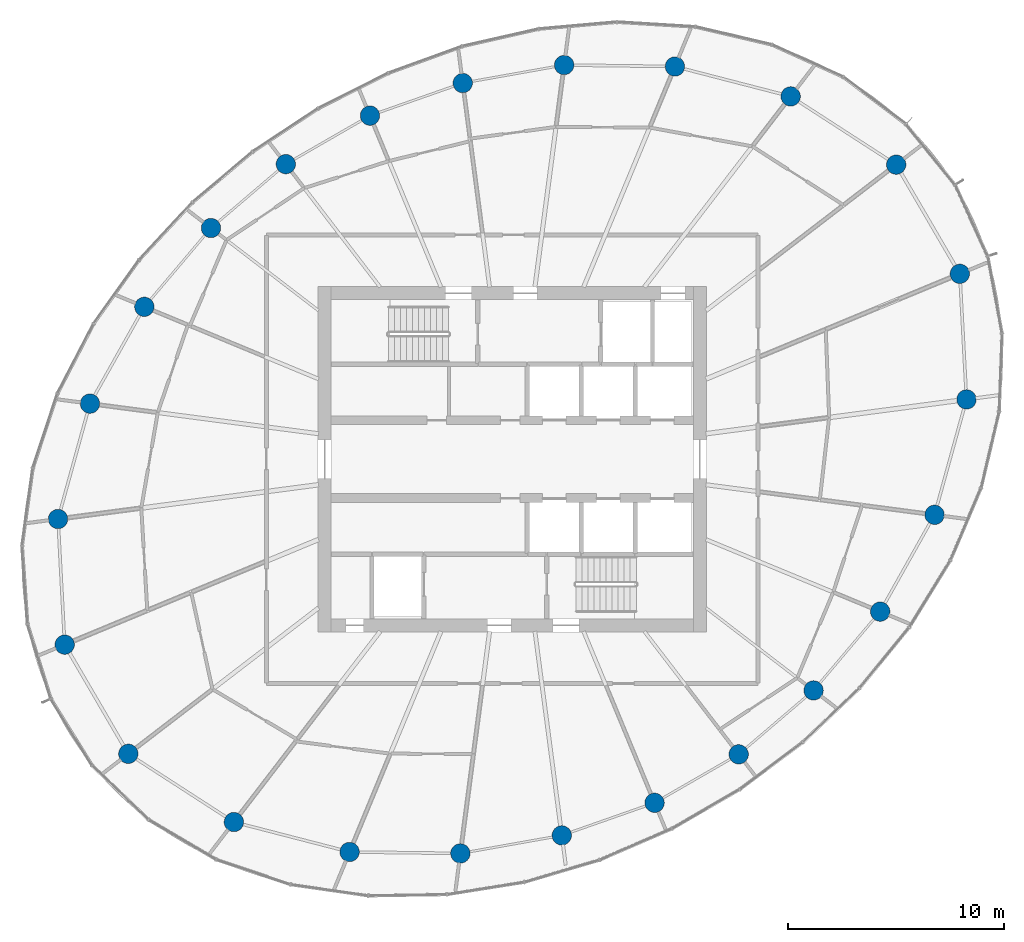
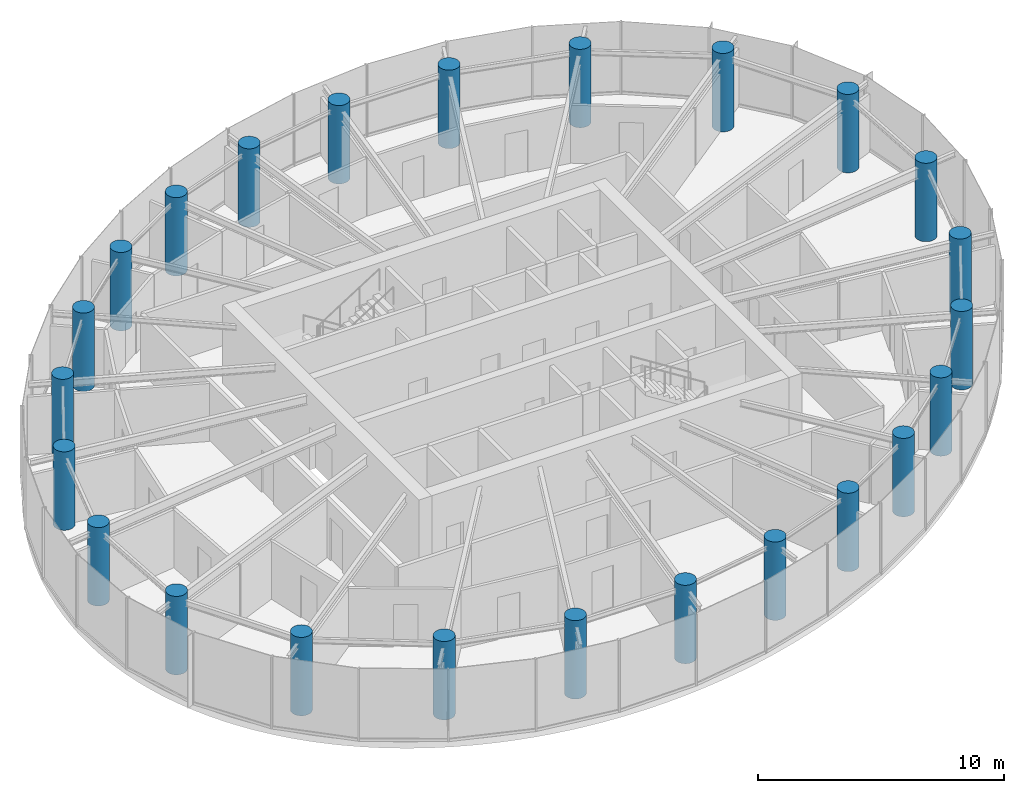
# One storey, part 1 of 15: 24 columns.
"""IFC4 building model written with IfcOpenShell, lengths in metres."""

import ifcopenshell
import ifcopenshell.guid

model = None  # the IFC model being written
_history = None  # IfcOwnerHistory: only IFC2X3 demands one
_inside = {}  # id of a spatial element -> (the spatial element, [elements in it])
_under = {}  # id of a project, library or spatial element -> (it, [spatial elements below it])
_declared = {}  # id of a project -> (the project, [libraries it declares])
_typed = {}  # id of a type object -> (the type object, [elements of that type])
_made_of = {}  # id of a material, layer set ... -> (it, [elements and type objects made of it])


def new_model(schema):
    """Start an empty IFC model of exactly this schema.

    Asked for "IFC4X3", IfcOpenShell would pick the latest addendum, in which some entities
    have other attributes; the version numbers below select the first issue.
    IFC2X3 requires an IfcOwnerHistory on every rooted entity: one is made here for all.
    """
    global model, _history
    if schema == "IFC4X3":
        model = ifcopenshell.file(schema_version=(4, 3, 0, 0))
    else:
        model = ifcopenshell.file(schema=schema)
    _inside.clear()
    _under.clear()
    _declared.clear()
    _typed.clear()
    _made_of.clear()
    _history = None
    if model.schema == "IFC2X3":
        org = make("IfcOrganization", Name="unknown")
        user = make(
            "IfcPersonAndOrganization",
            ThePerson=make("IfcPerson", FamilyName="unknown"),
            TheOrganization=org,
        )
        app = make(
            "IfcApplication",
            ApplicationDeveloper=org,
            Version="unknown",
            ApplicationFullName="unknown",
            ApplicationIdentifier="unknown",
        )
        _history = make(
            "IfcOwnerHistory",
            OwningUser=user,
            OwningApplication=app,
            ChangeAction="ADDED",
            CreationDate=0,
        )
    return model


def make(cls, **values):
    """One entity of the class cls with the attributes given. An attribute that is None is left unset."""
    return model.create_entity(
        cls, **{name: value for name, value in values.items() if value is not None}
    )


def rooted(cls, **values):
    """An entity with a GlobalId (a new one), such as an element, a storey or a relation."""
    return make(cls, GlobalId=ifcopenshell.guid.new(), OwnerHistory=_history, **values)


def si_unit(unit_type, name, prefix=None):
    """IfcSIUnit, for example si_unit("LENGTHUNIT", "METRE", prefix="MILLI")."""
    return make("IfcSIUnit", UnitType=unit_type, Prefix=prefix, Name=name)


def assignment(units):
    """IfcUnitAssignment: the units of a project."""
    return None if units is None else make("IfcUnitAssignment", Units=units)


def point(xyz):
    """IfcCartesianPoint."""
    return None if xyz is None else make("IfcCartesianPoint", Coordinates=xyz)


def direction(xyz):
    """IfcDirection."""
    return None if xyz is None else make("IfcDirection", DirectionRatios=xyz)


def frame(location, z_axis=None, x_axis=None):
    """IfcAxis2Placement3D, a coordinate frame: its origin and axes. An axis left out is left unset."""
    return make(
        "IfcAxis2Placement3D",
        Location=point(location),
        Axis=direction(z_axis),
        RefDirection=direction(x_axis),
    )


def frame_2d(location, x_axis=None):
    """IfcAxis2Placement2D, a coordinate frame in the plane: its origin and x axis."""
    return make(
        "IfcAxis2Placement2D", Location=point(location), RefDirection=direction(x_axis)
    )


def origin():
    """The frame at (0, 0, 0) with its axes left unset."""
    return frame((0.0, 0.0, 0.0))


def origin_2d():
    """The frame at (0, 0) in the plane with its x axis left unset."""
    return frame_2d((0.0, 0.0))


def place(relative_to, where):
    """IfcLocalPlacement: puts the frame where relative to a parent placement (None: the world)."""
    return make(
        "IfcLocalPlacement", PlacementRelTo=relative_to, RelativePlacement=where
    )


def context(
    kind, dimensions, precision=None, world=None, true_north=None, identifier=None
):
    """IfcGeometricRepresentationContext, for example the 3D "Model" context."""
    return make(
        "IfcGeometricRepresentationContext",
        ContextIdentifier=identifier,
        ContextType=kind,
        CoordinateSpaceDimension=dimensions,
        Precision=precision,
        WorldCoordinateSystem=world,
        TrueNorth=true_north,
    )


def subcontext(parent, identifier, kind, view, scale=None):
    """IfcGeometricRepresentationSubContext, for example "Body" below "Model"."""
    return make(
        "IfcGeometricRepresentationSubContext",
        ContextIdentifier=identifier,
        ContextType=kind,
        ParentContext=parent,
        TargetScale=scale,
        TargetView=view,
    )


def project(units=None, contexts=None):
    """IfcProject with its units and contexts."""
    return rooted(
        "IfcProject",
        Name="project",
        RepresentationContexts=contexts,
        UnitsInContext=assignment(units),
    )


def spatial(cls, under=None, at=None, **own):
    """A site, building, storey or space (cls), placed at a placement, below another one or the project."""
    s = rooted(cls, ObjectPlacement=at, **own)
    if under is not None:
        _under.setdefault(under.id(), (under, []))[1].append(s)
    return s


def profile(cls, at=None, kind="AREA", **sizes):
    """A parametric profile (cls). Its sizes go by their IFC names, for example OverallWidth=200.0."""
    return make(cls, ProfileType=kind, Position=at, **sizes)


def circle(**sizes):
    """IfcCircleProfileDef."""
    return profile("IfcCircleProfileDef", **sizes)


def extrude(swept, where, along, depth):
    """IfcExtrudedAreaSolid: the profile swept, set in the frame where, extruded along a direction by depth."""
    return make(
        "IfcExtrudedAreaSolid",
        SweptArea=swept,
        Position=where,
        ExtrudedDirection=direction(along),
        Depth=depth,
    )


def shape(context_of_items, identifier, shape_type, items):
    """IfcShapeRepresentation: the items that make up one representation, for example the "Body"."""
    return make(
        "IfcShapeRepresentation",
        ContextOfItems=context_of_items,
        RepresentationIdentifier=identifier,
        RepresentationType=shape_type,
        Items=items,
    )


def source(mapping_origin, context_of_items, identifier, shape_type, items):
    """IfcRepresentationMap: a shape defined once, which mapped items show again and again."""
    return make(
        "IfcRepresentationMap",
        MappingOrigin=mapping_origin,
        MappedRepresentation=shape(context_of_items, identifier, shape_type, items),
    )


def transform(
    local_origin,
    x_axis=None,
    y_axis=None,
    z_axis=None,
    scale=None,
    scale2=None,
    scale3=None,
    uniform=True,
):
    """IfcCartesianTransformationOperator3D, or its non-uniform kind. x_axis, y_axis, z_axis: its Axis1, 2, 3."""
    if uniform:
        return make(
            "IfcCartesianTransformationOperator3D",
            Axis1=direction(x_axis),
            Axis2=direction(y_axis),
            LocalOrigin=point(local_origin),
            Scale=scale,
            Axis3=direction(z_axis),
        )
    return make(
        "IfcCartesianTransformationOperator3DnonUniform",
        Axis1=direction(x_axis),
        Axis2=direction(y_axis),
        LocalOrigin=point(local_origin),
        Scale=scale,
        Axis3=direction(z_axis),
        Scale2=scale2,
        Scale3=scale3,
    )


def mapped(mapping_source, mapping_target):
    """IfcMappedItem: shows the shape of a source again, moved by a transform."""
    return make(
        "IfcMappedItem", MappingSource=mapping_source, MappingTarget=mapping_target
    )


def material(Name=None, Category=None):
    """IfcMaterial."""
    return make("IfcMaterial", Name=Name, Category=Category)


def material_profile(
    of_material, cross_section, Name=None, Category=None, Priority=None
):
    """IfcMaterialProfile: a cross section and its material."""
    return make(
        "IfcMaterialProfile",
        Name=Name,
        Material=of_material,
        Profile=cross_section,
        Priority=Priority,
        Category=Category,
    )


def profile_set(profiles, Name=None, composite=None):
    """IfcMaterialProfileSet."""
    return make(
        "IfcMaterialProfileSet",
        Name=Name,
        MaterialProfiles=profiles,
        CompositeProfile=composite,
    )


def made_of(thing, what):
    """Note that an element or type object is made of a material, layer set ...; save() writes the relation."""
    if what is not None:
        _made_of.setdefault(what.id(), (what, []))[1].append(thing)
    return thing


def type_object(cls, material=None, **own):
    """A type object (cls), such as IfcWallType, which elements share."""
    return made_of(rooted(cls, **own), material)


def element(
    cls,
    number,
    at=None,
    inside=None,
    cuts=None,
    type_object=None,
    material=None,
    context=None,
    identifier="Body",
    shape_type=None,
    held_by="IfcProductDefinitionShape",
    body=None,
    shapes=None,
    **own,
):
    """One element of the class cls, such as IfcWall. Its Tag is "e" and its number.

    at: its placement. inside: the storey or other place that contains it. cuts: it is an
    opening in that element (IfcRelVoidsElement). A single representation is given by context,
    identifier, shape_type and body (its items); several are given by shapes. held_by: the class
    of the entity that holds the representations. save() writes the other relations.
    """
    e = rooted(cls, Tag="e%d" % number, ObjectPlacement=at, **own)
    if body is not None:
        shapes = [shape(context, identifier, shape_type, body)]
    if shapes is not None:
        e.Representation = make(held_by, Representations=shapes)
    if inside is not None:
        _inside.setdefault(inside.id(), (inside, []))[1].append(e)
    if cuts is not None:
        rooted(
            "IfcRelVoidsElement", RelatingBuildingElement=cuts, RelatedOpeningElement=e
        )
    if type_object is not None:
        _typed.setdefault(type_object.id(), (type_object, []))[1].append(e)
    return made_of(e, material)


def aggregate(whole, parts):
    """IfcRelAggregates: a whole, such as a stair, and the parts it consists of."""
    return rooted("IfcRelAggregates", RelatingObject=whole, RelatedObjects=parts)


def save(model, path):
    """Write the relations noted so far, then the file.

    IfcRelAggregates (storeys below a building ...), IfcRelContainedInSpatialStructure (elements
    in a storey), IfcRelDefinesByType, IfcRelAssociatesMaterial and IfcRelDeclares: one each for
    every whole, place, type object, material and project.
    """
    for whole, parts in _under.values():
        aggregate(whole, parts)
    for where, things in _inside.values():
        rooted(
            "IfcRelContainedInSpatialStructure",
            RelatedElements=things,
            RelatingStructure=where,
        )
    for kind, things in _typed.values():
        rooted("IfcRelDefinesByType", RelatedObjects=things, RelatingType=kind)
    for what, things in _made_of.values():
        rooted("IfcRelAssociatesMaterial", RelatedObjects=things, RelatingMaterial=what)
    for by, libraries in _declared.values():
        rooted("IfcRelDeclares", RelatingContext=by, RelatedDefinitions=libraries)
    model.write(path)


model = new_model("IFC4")

# Units and contexts
model_context = context("Model", 3, precision=1e-05, world=origin(), true_north=direction((0.0, 1.0)))
body_context = subcontext(model_context, "Body", "Model", "MODEL_VIEW")
ifc_project = project(units=[si_unit("LENGTHUNIT", "METRE"), si_unit("AREAUNIT", "SQUARE_METRE"), si_unit("VOLUMEUNIT", "CUBIC_METRE"), si_unit("PLANEANGLEUNIT", "RADIAN"), si_unit("MASSUNIT", "GRAM", prefix="KILO")], contexts=[model_context])

# Site, building, storey
site_placement = place(None, origin())
site = spatial("IfcSite", under=ifc_project, at=site_placement, CompositionType="ELEMENT")
building_placement = place(site_placement, origin())
building = spatial("IfcBuilding", under=site, at=building_placement, Name="Spindrift Exchange Tower", CompositionType="ELEMENT")
storey_placement = place(building_placement, frame((0.0, 0.0, 199.39990234375)))
storey = spatial("IfcBuildingStorey", under=building, at=storey_placement, Name="L48", CompositionType="ELEMENT", Elevation=199.39990234375)

# Columns
ifc_material = material(Name="Concrete 50 MPa", Category="concrete")
ifc_material_profile = material_profile(ifc_material, circle(Radius=0.449951171875, at=origin_2d()), Name="RC D900")
ifc_profile_set = profile_set([ifc_material_profile], Name="Concrete 50 MPa")
column_type = type_object("IfcColumnType", Name="RC Perimeter Column D900 Concrete 50 MPa", PredefinedType="COLUMN", material=ifc_profile_set)
shared_shape = source(origin(), body_context, "Body", "SweptSolid", [
    extrude(circle(Radius=0.449951171875, at=origin_2d()), origin(), (0.0, 0.0, 1.0), 3.900146484375),
])
for number, where, z_axis, x_axis, name in (
    (1, (73.062255859375, 50.77294921875, 0.0), (0.0, 0.0, 1.0), (1.0, 0.0, 0.0), "Perimeter column P4-01 L48"),
    (2, (72.753173828125, 56.59619140625, 0.0), (0.0, 0.0, 1.0), (1.0, 0.0, 0.0), "Perimeter column P4-02 L48"),
    (3, (69.802001953125, 61.659912109375, 0.0), (0.0, 0.0, 1.0), (1.0, 0.0, 0.0), "Perimeter column P4-03 L48"),
    (4, (64.90869140625, 64.822998046875, 0.0), (0.0, 0.0, 1.0), (1.0, 0.0, 0.0), "Perimeter column P4-04 L48"),
    (5, (59.542724609375, 66.209716796875, 0.0), (0.0, 0.0, 1.0), (1.0, 0.0, 0.0), "Perimeter column P4-05 L48"),
    (6, (54.406494140625, 66.2783203125, 0.0), (0.0, 0.0, 1.0), (1.0, 0.0, 0.0), "Perimeter column P4-06 L48"),
    (7, (49.70361328125, 65.4423828125, 0.0), (0.0, 0.0, 1.0), (1.0, 0.0, 0.0), "Perimeter column P4-07 L48"),
    (8, (45.40087890625, 63.931396484375, 0.0), (0.0, 0.0, 1.0), (1.0, 0.0, 0.0), "Perimeter column P4-08 L48"),
    (9, (41.500732421875, 61.68310546875, 0.0), (0.0, 0.0, 1.0), (1.0, 0.0, 0.0), "Perimeter column P4-09 L48"),
    (10, (38.029052734375, 58.72021484375, 0.0), (0.0, 0.0, 1.0), (1.0, 0.0, 0.0), "Perimeter column P4-10 L48"),
    (11, (34.940673828125, 55.066162109375, 0.0), (0.0, 0.0, 1.0), (1.0, 0.0, 0.0), "Perimeter column P4-11 L48"),
    (12, (32.4189453125, 50.577880859375, 0.0), (0.0, 0.0, 1.0), (1.0, 0.0, 0.0), "Perimeter column P4-12 L48"),
    (13, (30.937744140625, 45.22705078125, 0.0), (0.0, 0.0, 1.0), (1.0, 0.0, 0.0), "Perimeter column P4-13 L48"),
    (14, (31.246826171875, 39.40380859375, 0.0), (0.0, 0.0, 1.0), (1.0, 0.0, 0.0), "Perimeter column P4-14 L48"),
    (15, (34.197998046875, 34.340087890625, 0.0), (0.0, 0.0, 1.0), (1.0, 0.0, 0.0), "Perimeter column P4-15 L48"),
    (16, (39.09130859375, 31.177001953125, 0.0), (0.0, 0.0, 1.0), (1.0, 0.0, 0.0), "Perimeter column P4-16 L48"),
    (17, (44.457275390625, 29.790283203125, 0.0), (0.0, 0.0, 1.0), (1.0, 0.0, 0.0), "Perimeter column P4-17 L48"),
    (18, (49.593505859375, 29.7216796875, 0.0), (0.0, 0.0, 1.0), (1.0, 0.0, 0.0), "Perimeter column P4-18 L48"),
    (19, (54.29638671875, 30.5576171875, 0.0), (0.0, 0.0, 1.0), (1.0, 0.0, 0.0), "Perimeter column P4-19 L48"),
    (20, (58.59912109375, 32.068603515625, 0.0), (0.0, 0.0, 1.0), (1.0, 0.0, 0.0), "Perimeter column P4-20 L48"),
    (21, (62.499267578125, 34.31689453125, 0.0), (0.0, 0.0, 1.0), (1.0, 0.0, 0.0), "Perimeter column P4-21 L48"),
    (22, (65.970947265625, 37.27978515625, 0.0), (0.0, 0.0, 1.0), (1.0, 0.0, 0.0), "Perimeter column P4-22 L48"),
    (23, (69.059326171875, 40.933837890625, 0.0), (0.0, 0.0, 1.0), (1.0, 0.0, 0.0), "Perimeter column P4-23 L48"),
    (24, (71.5810546875, 45.422119140625, 0.0), (0.0, 0.0, 1.0), (1.0, 0.0, 0.0), "Perimeter column P4-24 L48"),
):
    element("IfcColumn", number, at=place(storey_placement, frame(where, z_axis=z_axis, x_axis=x_axis)), inside=storey, type_object=column_type, Name=name, PredefinedType="COLUMN", context=body_context, shape_type="MappedRepresentation", body=[
        mapped(shared_shape, transform((0.0, 0.0, 0.0), scale=1.0)),
    ])

save(model, "model.ifc")
